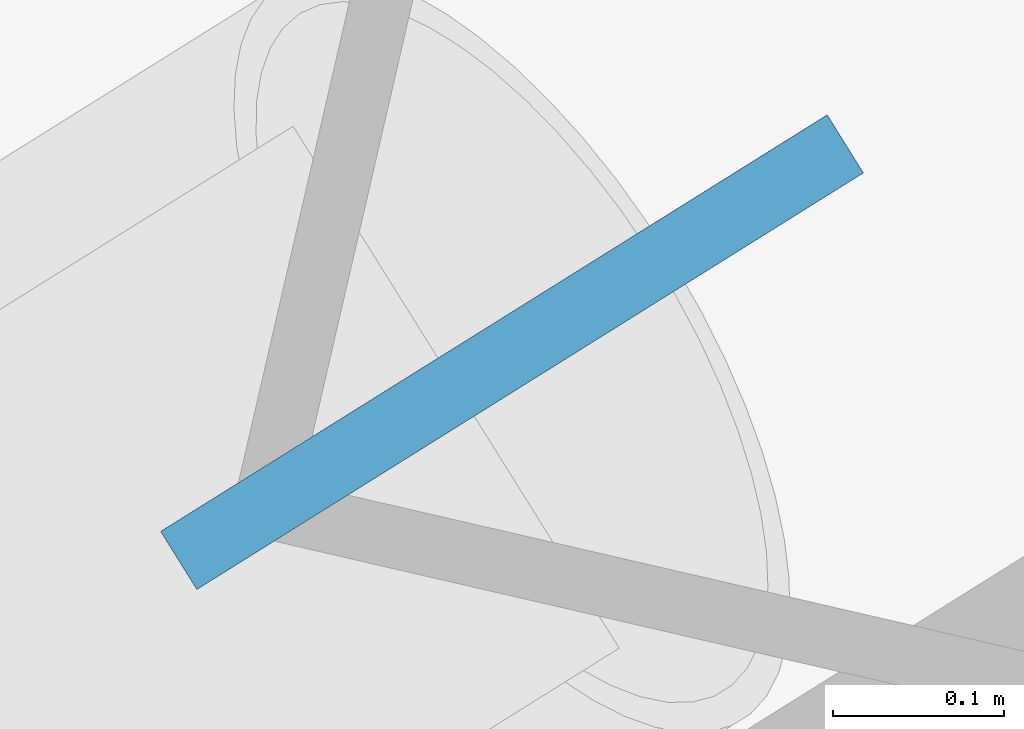
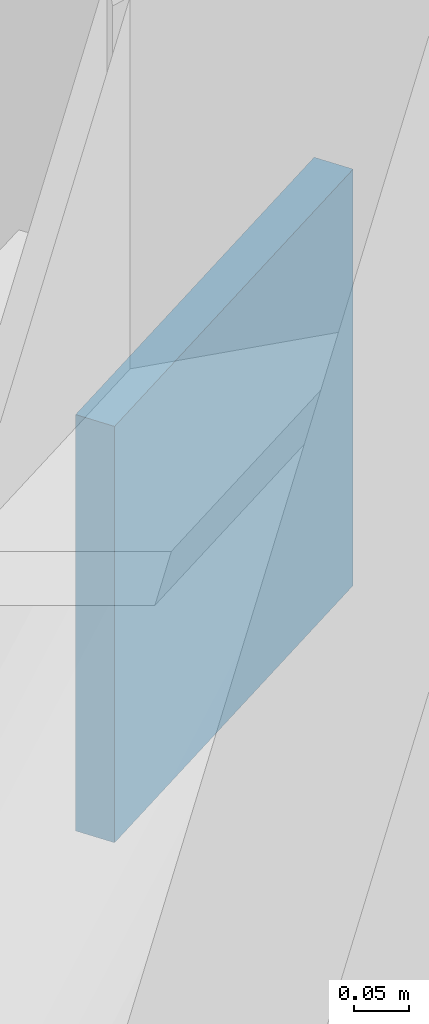
# One storey, part 17 of 21: 1 discrete accessory.
"""IFC4 building model written with IfcOpenShell, lengths in metres."""

from ifc_helpers import new_model, si_unit, direction, frame, origin, origin_2d, place, context, subcontext, project, spatial, rectangle, extrude, material, type_object, element, save


model = new_model("IFC4")

# Units and contexts
model_context = context("Model", 3, precision=1e-05, world=origin(), true_north=direction((0.0, 1.0)))
body_context = subcontext(model_context, "Body", "Model", "MODEL_VIEW")
ifc_project = project(units=[si_unit("LENGTHUNIT", "METRE"), si_unit("AREAUNIT", "SQUARE_METRE"), si_unit("VOLUMEUNIT", "CUBIC_METRE"), si_unit("PLANEANGLEUNIT", "RADIAN"), si_unit("MASSUNIT", "GRAM", prefix="KILO")], contexts=[model_context])

# Site, building, storey
site_placement = place(None, origin())
site = spatial("IfcSite", under=ifc_project, at=site_placement, CompositionType="ELEMENT")
building_placement = place(site_placement, origin())
building = spatial("IfcBuilding", under=site, at=building_placement, Name="Tavrogorsk Clinical Tower", CompositionType="ELEMENT")
storey_placement = place(building_placement, frame((0.0, 0.0, 8.39990234375)))
storey = spatial("IfcBuildingStorey", under=building, at=storey_placement, Name="L01", CompositionType="ELEMENT", Elevation=8.39990234375)

# Discrete accessory
ifc_material = material(Name="Structural steel S440", Category="steel")
discrete_accessory_type = type_object("IfcDiscreteAccessoryType", Name="GussetPlateBracket_25", PredefinedType="BRACKET", material=ifc_material)
discrete_accessory_placement = place(storey_placement, frame((-30.35302734375, 29.9609375, 3.346923828125), z_axis=(0.0, 0.0, 1.0), x_axis=(0.848048096156, 0.529919264233, 0.0)))
element("IfcDiscreteAccessory", 1, at=discrete_accessory_placement, inside=storey, type_object=discrete_accessory_type, Name="L01 Brace Gusset Plate EXOCRN-L01-3-B", PredefinedType="BRACKET", context=body_context, shape_type="SweptSolid", body=[
    extrude(rectangle(XDim=0.4599609375, YDim=0.0400390625, at=origin_2d()), origin(), (0.0, 0.0, 1.0), 0.4599609375),
])

save(model, "model.ifc")
